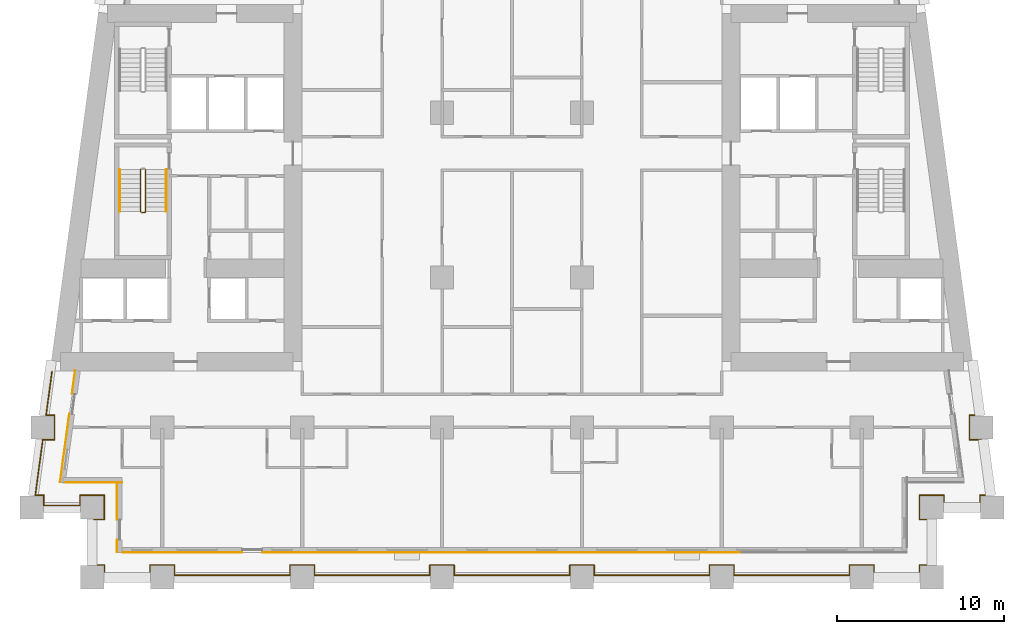
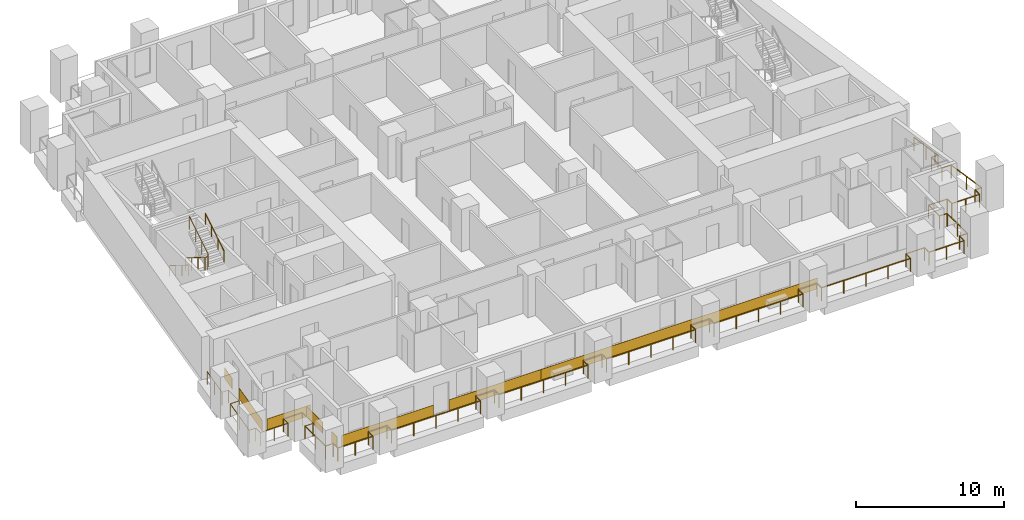
# One storey, part 9 of 13: 8 coverings, 5 railings.
"""IFC4 building model written with IfcOpenShell, lengths in metres."""

from ifc_helpers import new_model, si_unit, direction, frame, origin, origin_2d, place, context, subcontext, project, spatial, rectangle, circle, extrude, material, layer, layer_set, type_object, element, save


model = new_model("IFC4")

# Units and contexts
model_context = context("Model", 3, precision=1e-05, world=origin(), true_north=direction((0.0, 1.0)))
body_context = subcontext(model_context, "Body", "Model", "MODEL_VIEW")
ifc_project = project(units=[si_unit("LENGTHUNIT", "METRE"), si_unit("AREAUNIT", "SQUARE_METRE"), si_unit("VOLUMEUNIT", "CUBIC_METRE"), si_unit("PLANEANGLEUNIT", "RADIAN"), si_unit("MASSUNIT", "GRAM", prefix="KILO")], contexts=[model_context])

# Site, building, storey
site_placement = place(None, origin())
site = spatial("IfcSite", under=ifc_project, at=site_placement, CompositionType="ELEMENT")
building_placement = place(site_placement, origin())
building = spatial("IfcBuilding", under=site, at=building_placement, Name="Candeia Pilgrim Tower and Theatre", CompositionType="ELEMENT")
storey_placement = place(building_placement, frame((0.0, 0.0, 56.5)))
storey = spatial("IfcBuildingStorey", under=building, at=storey_placement, Name="L11", CompositionType="ELEMENT", Elevation=56.5)

# Railings
ifc_material_1 = material(Name="Stainless steel balustrade", Category="steel")
railing_type_1 = type_object("IfcRailingType", Name="G1 loggia guard 1100", PredefinedType="GUARDRAIL", material=ifc_material_1)
railing_1_placement = place(storey_placement, frame((88.320068359375, 101.469970703125, 0.0)))
element("IfcRailing", 1, at=railing_1_placement, inside=storey, type_object=railing_type_1, Name="Guard L11.1", PredefinedType="GUARDRAIL", context=body_context, shape_type="SweptSolid", body=[
    extrude(circle(Radius=0.02392578125, at=origin_2d()), frame((0.0, 0.0, 1.076171875), z_axis=(1.0, 0.0, 0.0), x_axis=(0.0, 1.0, 0.0)), (0.0, 0.0, 1.0), 0.60986328125),
    extrude(circle(Radius=0.02392578125, at=origin_2d()), frame((0.60986328125, 0.0, 1.076171875), z_axis=(0.0, 1.0, 0.0), x_axis=(-1.0, 0.0, 0.0)), (0.0, 0.0, 1.0), 1.4599609375),
    extrude(circle(Radius=0.02392578125, at=origin_2d()), frame((0.60986328125, 1.4599609375, 1.076171875), z_axis=(-1.0, 0.0, 0.0), x_axis=(0.0, -1.0, 0.0)), (0.0, 0.0, 1.0), 1.4599609375),
    extrude(circle(Radius=0.02392578125, at=origin_2d()), frame((-0.85009765625, 1.4599609375, 1.076171875), z_axis=(0.0, -1.0, 0.0), x_axis=(1.0, 0.0, 0.0)), (0.0, 0.0, 1.0), 0.60986328125),
    extrude(circle(Radius=0.02392578125, at=origin_2d()), frame((-0.85009765625, 0.85009765625, 1.076171875), z_axis=(-1.0, 0.0, 0.0), x_axis=(0.0, -1.0, 0.0)), (0.0, 0.0, 1.0), 2.174560546875),
    extrude(circle(Radius=0.02392578125, at=origin_2d()), frame((-3.024658203125, 0.85009765625, 1.076171875), z_axis=(0.0, 1.0, 0.0), x_axis=(-1.0, 0.0, 0.0)), (0.0, 0.0, 1.0), 0.60986328125),
    extrude(circle(Radius=0.02392578125, at=origin_2d()), frame((-3.024658203125, 1.4599609375, 1.076171875), z_axis=(-1.0, 0.0, 0.0), x_axis=(0.0, -1.0, 0.0)), (0.0, 0.0, 1.0), 0.5107421875),
    extrude(circle(Radius=0.02392578125, at=origin_2d()), frame((-3.535400390625, 1.4599609375, 1.076171875), z_axis=(0.133435273035, 0.991057530071, 0.0), x_axis=(-0.991057530071, 0.133435273035, 0.0)), (0.0, 0.0, 1.0), 3.3701171875),
    extrude(circle(Radius=0.02392578125, at=origin_2d()), frame((-3.085693359375, 4.800048828125, 1.076171875), z_axis=(1.0, 0.0, 0.0), x_axis=(0.0, 1.0, 0.0)), (0.0, 0.0, 1.0), 0.707275390625),
    extrude(circle(Radius=0.02392578125, at=origin_2d()), frame((-2.37841796875, 4.800048828125, 1.076171875), z_axis=(0.0, 1.0, 0.0), x_axis=(-1.0, 0.0, 0.0)), (0.0, 0.0, 1.0), 1.4599609375),
    extrude(circle(Radius=0.02392578125, at=origin_2d()), frame((-2.37841796875, 6.260009765625, 1.076171875), z_axis=(-1.0, 0.0, 0.0), x_axis=(0.0, -1.0, 0.0)), (0.0, 0.0, 1.0), 0.5107421875),
    extrude(circle(Radius=0.02392578125, at=origin_2d()), frame((-2.88916015625, 6.260009765625, 1.076171875), z_axis=(0.133439920495, 0.991056904329, 0.0), x_axis=(-0.991056904329, 0.133439920495, 0.0)), (0.0, 0.0, 1.0), 2.643798828125),
    extrude(circle(Radius=0.02099609375, at=origin_2d()), origin(), (0.0, 0.0, 1.0), 1.052001953125),
    extrude(circle(Radius=0.02099609375, at=origin_2d()), frame((0.60986328125, 0.0, 0.0)), (0.0, 0.0, 1.0), 1.052001953125),
    extrude(circle(Radius=0.02099609375, at=origin_2d()), frame((0.60986328125, 1.4599609375, 0.0)), (0.0, 0.0, 1.0), 1.052001953125),
    extrude(circle(Radius=0.02099609375, at=origin_2d()), frame((-0.85009765625, 1.4599609375, 0.0)), (0.0, 0.0, 1.0), 1.052001953125),
    extrude(circle(Radius=0.02099609375, at=origin_2d()), frame((-0.85009765625, 0.85009765625, 0.0)), (0.0, 0.0, 1.0), 1.052001953125),
    extrude(circle(Radius=0.02099609375, at=origin_2d()), frame((-1.9375, 0.85009765625, 0.0)), (0.0, 0.0, 1.0), 1.052001953125),
    extrude(circle(Radius=0.02099609375, at=origin_2d()), frame((-3.024658203125, 0.85009765625, 0.0)), (0.0, 0.0, 1.0), 1.052001953125),
    extrude(circle(Radius=0.02099609375, at=origin_2d()), frame((-3.024658203125, 1.4599609375, 0.0)), (0.0, 0.0, 1.0), 1.052001953125),
    extrude(circle(Radius=0.02099609375, at=origin_2d()), frame((-3.535400390625, 1.4599609375, 0.0)), (0.0, 0.0, 1.0), 1.052001953125),
    extrude(circle(Radius=0.02099609375, at=origin_2d()), frame((-3.310546875, 3.1298828125, 0.0)), (0.0, 0.0, 1.0), 1.052001953125),
    extrude(circle(Radius=0.02099609375, at=origin_2d()), frame((-3.085693359375, 4.800048828125, 0.0)), (0.0, 0.0, 1.0), 1.052001953125),
    extrude(circle(Radius=0.02099609375, at=origin_2d()), frame((-2.37841796875, 4.800048828125, 0.0)), (0.0, 0.0, 1.0), 1.052001953125),
    extrude(circle(Radius=0.02099609375, at=origin_2d()), frame((-2.37841796875, 6.260009765625, 0.0)), (0.0, 0.0, 1.0), 1.052001953125),
    extrude(circle(Radius=0.02099609375, at=origin_2d()), frame((-2.88916015625, 6.260009765625, 0.0)), (0.0, 0.0, 1.0), 1.052001953125),
    extrude(circle(Radius=0.02099609375, at=origin_2d()), frame((-2.712890625, 7.570068359375, 0.0)), (0.0, 0.0, 1.0), 1.052001953125),
    extrude(circle(Radius=0.02099609375, at=origin_2d()), frame((-2.536376953125, 8.880126953125, 0.0)), (0.0, 0.0, 1.0), 1.052001953125),
])
railing_2_placement = place(storey_placement, frame((141.016357421875, 110.35009765625, 0.0)))
element("IfcRailing", 2, at=railing_2_placement, inside=storey, type_object=railing_type_1, Name="Guard L11.4", PredefinedType="GUARDRAIL", context=body_context, shape_type="SweptSolid", body=[
    extrude(circle(Radius=0.02392578125, at=origin_2d()), frame((0.0, 0.0, 1.076171875), z_axis=(0.133439920495, -0.991056904329, 0.0), x_axis=(0.991056904329, 0.133439920495, 0.0)), (0.0, 0.0, 1.0), 2.643798828125),
    extrude(circle(Radius=0.02392578125, at=origin_2d()), frame((0.352783203125, -2.6201171875, 1.076171875), z_axis=(-1.0, 0.0, 0.0), x_axis=(0.0, -1.0, 0.0)), (0.0, 0.0, 1.0), 0.5107421875),
    extrude(circle(Radius=0.02392578125, at=origin_2d()), frame((-0.157958984375, -2.6201171875, 1.076171875), z_axis=(0.0, -1.0, 0.0), x_axis=(1.0, 0.0, 0.0)), (0.0, 0.0, 1.0), 1.4599609375),
    extrude(circle(Radius=0.02392578125, at=origin_2d()), frame((-0.157958984375, -4.080078125, 1.076171875), z_axis=(1.0, 0.0, 0.0), x_axis=(0.0, 1.0, 0.0)), (0.0, 0.0, 1.0), 0.707275390625),
    extrude(circle(Radius=0.02392578125, at=origin_2d()), frame((0.54931640625, -4.080078125, 1.076171875), z_axis=(0.133435273035, -0.991057530071, 0.0), x_axis=(0.991057530071, 0.133435273035, 0.0)), (0.0, 0.0, 1.0), 3.3701171875),
    extrude(circle(Radius=0.02392578125, at=origin_2d()), frame((0.9990234375, -7.420166015625, 1.076171875), z_axis=(-1.0, 0.0, 0.0), x_axis=(0.0, -1.0, 0.0)), (0.0, 0.0, 1.0), 0.5107421875),
    extrude(circle(Radius=0.02392578125, at=origin_2d()), frame((0.48828125, -7.420166015625, 1.076171875), z_axis=(0.0, -1.0, 0.0), x_axis=(1.0, 0.0, 0.0)), (0.0, 0.0, 1.0), 0.60986328125),
    extrude(circle(Radius=0.02392578125, at=origin_2d()), frame((0.48828125, -8.030029296875, 1.076171875), z_axis=(-1.0, 0.0, 0.0), x_axis=(0.0, -1.0, 0.0)), (0.0, 0.0, 1.0), 2.174560546875),
    extrude(circle(Radius=0.02392578125, at=origin_2d()), frame((-1.686279296875, -8.030029296875, 1.076171875), z_axis=(0.0, 1.0, 0.0), x_axis=(-1.0, 0.0, 0.0)), (0.0, 0.0, 1.0), 0.60986328125),
    extrude(circle(Radius=0.02392578125, at=origin_2d()), frame((-1.686279296875, -7.420166015625, 1.076171875), z_axis=(-1.0, 0.0, 0.0), x_axis=(0.0, -1.0, 0.0)), (0.0, 0.0, 1.0), 1.4599609375),
    extrude(circle(Radius=0.02392578125, at=origin_2d()), frame((-3.146240234375, -7.420166015625, 1.076171875), z_axis=(0.0, -1.0, 0.0), x_axis=(1.0, 0.0, 0.0)), (0.0, 0.0, 1.0), 1.4599609375),
    extrude(circle(Radius=0.02392578125, at=origin_2d()), frame((-3.146240234375, -8.880126953125, 1.076171875), z_axis=(1.0, 0.0, 0.0), x_axis=(0.0, 1.0, 0.0)), (0.0, 0.0, 1.0), 0.60986328125),
    extrude(circle(Radius=0.02392578125, at=origin_2d()), frame((-2.536376953125, -8.880126953125, 1.076171875), z_axis=(0.0, -1.0, 0.0), x_axis=(1.0, 0.0, 0.0)), (0.0, 0.0, 1.0), 2.739990234375),
    extrude(circle(Radius=0.02392578125, at=origin_2d()), frame((-2.536376953125, -11.6201171875, 1.076171875), z_axis=(-1.0, 0.0, 0.0), x_axis=(0.0, -1.0, 0.0)), (0.0, 0.0, 1.0), 0.60986328125),
    extrude(circle(Radius=0.02392578125, at=origin_2d()), frame((-3.146240234375, -11.6201171875, 1.076171875), z_axis=(0.0, -1.0, 0.0), x_axis=(1.0, 0.0, 0.0)), (0.0, 0.0, 1.0), 0.60986328125),
    extrude(circle(Radius=0.02392578125, at=origin_2d()), frame((-3.146240234375, -12.22998046875, 1.076171875), z_axis=(-1.0, 0.0, 0.0), x_axis=(0.0, -1.0, 0.0)), (0.0, 0.0, 1.0), 2.740234375),
    extrude(circle(Radius=0.02392578125, at=origin_2d()), frame((-5.886474609375, -12.22998046875, 1.076171875), z_axis=(0.0, 1.0, 0.0), x_axis=(-1.0, 0.0, 0.0)), (0.0, 0.0, 1.0), 0.60986328125),
    extrude(circle(Radius=0.02392578125, at=origin_2d()), frame((-5.886474609375, -11.6201171875, 1.076171875), z_axis=(-1.0, 0.0, 0.0), x_axis=(0.0, -1.0, 0.0)), (0.0, 0.0, 1.0), 1.4599609375),
    extrude(circle(Radius=0.02392578125, at=origin_2d()), frame((-7.346435546875, -11.6201171875, 1.076171875), z_axis=(0.0, -1.0, 0.0), x_axis=(1.0, 0.0, 0.0)), (0.0, 0.0, 1.0), 0.60986328125),
    extrude(circle(Radius=0.02392578125, at=origin_2d()), frame((-7.346435546875, -12.22998046875, 1.076171875), z_axis=(-1.0, 0.0, 0.0), x_axis=(0.0, -1.0, 0.0)), (0.0, 0.0, 1.0), 6.93994140625),
    extrude(circle(Radius=0.02392578125, at=origin_2d()), frame((-14.286376953125, -12.22998046875, 1.076171875), z_axis=(0.0, 1.0, 0.0), x_axis=(-1.0, 0.0, 0.0)), (0.0, 0.0, 1.0), 0.60986328125),
    extrude(circle(Radius=0.02392578125, at=origin_2d()), frame((-14.286376953125, -11.6201171875, 1.076171875), z_axis=(-1.0, 0.0, 0.0), x_axis=(0.0, -1.0, 0.0)), (0.0, 0.0, 1.0), 1.4599609375),
    extrude(circle(Radius=0.02392578125, at=origin_2d()), frame((-15.746337890625, -11.6201171875, 1.076171875), z_axis=(0.0, -1.0, 0.0), x_axis=(1.0, 0.0, 0.0)), (0.0, 0.0, 1.0), 0.60986328125),
    extrude(circle(Radius=0.02392578125, at=origin_2d()), frame((-15.746337890625, -12.22998046875, 1.076171875), z_axis=(-1.0, 0.0, 0.0), x_axis=(0.0, -1.0, 0.0)), (0.0, 0.0, 1.0), 6.93994140625),
    extrude(circle(Radius=0.02392578125, at=origin_2d()), frame((-22.686279296875, -12.22998046875, 1.076171875), z_axis=(0.0, 1.0, 0.0), x_axis=(-1.0, 0.0, 0.0)), (0.0, 0.0, 1.0), 0.60986328125),
    extrude(circle(Radius=0.02392578125, at=origin_2d()), frame((-22.686279296875, -11.6201171875, 1.076171875), z_axis=(-1.0, 0.0, 0.0), x_axis=(0.0, -1.0, 0.0)), (0.0, 0.0, 1.0), 1.4599609375),
    extrude(circle(Radius=0.02392578125, at=origin_2d()), frame((-24.146240234375, -11.6201171875, 1.076171875), z_axis=(0.0, -1.0, 0.0), x_axis=(1.0, 0.0, 0.0)), (0.0, 0.0, 1.0), 0.60986328125),
    extrude(circle(Radius=0.02392578125, at=origin_2d()), frame((-24.146240234375, -12.22998046875, 1.076171875), z_axis=(-1.0, 0.0, 0.0), x_axis=(0.0, -1.0, 0.0)), (0.0, 0.0, 1.0), 6.940185546875),
    extrude(circle(Radius=0.02392578125, at=origin_2d()), frame((-31.08642578125, -12.22998046875, 1.076171875), z_axis=(0.0, 1.0, 0.0), x_axis=(-1.0, 0.0, 0.0)), (0.0, 0.0, 1.0), 0.60986328125),
    extrude(circle(Radius=0.02392578125, at=origin_2d()), frame((-31.08642578125, -11.6201171875, 1.076171875), z_axis=(-1.0, 0.0, 0.0), x_axis=(0.0, -1.0, 0.0)), (0.0, 0.0, 1.0), 1.4599609375),
    extrude(circle(Radius=0.02392578125, at=origin_2d()), frame((-32.54638671875, -11.6201171875, 1.076171875), z_axis=(0.0, -1.0, 0.0), x_axis=(1.0, 0.0, 0.0)), (0.0, 0.0, 1.0), 0.60986328125),
    extrude(circle(Radius=0.02392578125, at=origin_2d()), frame((-32.54638671875, -12.22998046875, 1.076171875), z_axis=(-1.0, 0.0, 0.0), x_axis=(0.0, -1.0, 0.0)), (0.0, 0.0, 1.0), 6.93994140625),
    extrude(circle(Radius=0.02392578125, at=origin_2d()), frame((-39.486328125, -12.22998046875, 1.076171875), z_axis=(0.0, 1.0, 0.0), x_axis=(-1.0, 0.0, 0.0)), (0.0, 0.0, 1.0), 0.60986328125),
    extrude(circle(Radius=0.02392578125, at=origin_2d()), frame((-39.486328125, -11.6201171875, 1.076171875), z_axis=(-1.0, 0.0, 0.0), x_axis=(0.0, -1.0, 0.0)), (0.0, 0.0, 1.0), 1.4599609375),
    extrude(circle(Radius=0.02392578125, at=origin_2d()), frame((-40.9462890625, -11.6201171875, 1.076171875), z_axis=(0.0, -1.0, 0.0), x_axis=(1.0, 0.0, 0.0)), (0.0, 0.0, 1.0), 0.60986328125),
    extrude(circle(Radius=0.02392578125, at=origin_2d()), frame((-40.9462890625, -12.22998046875, 1.076171875), z_axis=(-1.0, 0.0, 0.0), x_axis=(0.0, -1.0, 0.0)), (0.0, 0.0, 1.0), 6.940185546875),
    extrude(circle(Radius=0.02392578125, at=origin_2d()), frame((-47.886474609375, -12.22998046875, 1.076171875), z_axis=(0.0, 1.0, 0.0), x_axis=(-1.0, 0.0, 0.0)), (0.0, 0.0, 1.0), 0.60986328125),
    extrude(circle(Radius=0.02392578125, at=origin_2d()), frame((-47.886474609375, -11.6201171875, 1.076171875), z_axis=(-1.0, 0.0, 0.0), x_axis=(0.0, -1.0, 0.0)), (0.0, 0.0, 1.0), 1.4599609375),
    extrude(circle(Radius=0.02392578125, at=origin_2d()), frame((-49.346435546875, -11.6201171875, 1.076171875), z_axis=(0.0, -1.0, 0.0), x_axis=(1.0, 0.0, 0.0)), (0.0, 0.0, 1.0), 0.60986328125),
    extrude(circle(Radius=0.02392578125, at=origin_2d()), frame((-49.346435546875, -12.22998046875, 1.076171875), z_axis=(-1.0, 0.0, 0.0), x_axis=(0.0, -1.0, 0.0)), (0.0, 0.0, 1.0), 2.739990234375),
    extrude(circle(Radius=0.02392578125, at=origin_2d()), frame((-52.08642578125, -12.22998046875, 1.076171875), z_axis=(0.0, 1.0, 0.0), x_axis=(-1.0, 0.0, 0.0)), (0.0, 0.0, 1.0), 0.60986328125),
    extrude(circle(Radius=0.02392578125, at=origin_2d()), frame((-52.08642578125, -11.6201171875, 1.076171875), z_axis=(-1.0, 0.0, 0.0), x_axis=(0.0, -1.0, 0.0)), (0.0, 0.0, 1.0), 0.60986328125),
    extrude(circle(Radius=0.02392578125, at=origin_2d()), frame((-52.6962890625, -11.6201171875, 1.076171875), z_axis=(0.0, 1.0, 0.0), x_axis=(-1.0, 0.0, 0.0)), (0.0, 0.0, 1.0), 2.739990234375),
    extrude(circle(Radius=0.02099609375, at=origin_2d()), origin(), (0.0, 0.0, 1.0), 1.052001953125),
    extrude(circle(Radius=0.02099609375, at=origin_2d()), frame((0.17626953125, -1.31005859375, 0.0)), (0.0, 0.0, 1.0), 1.052001953125),
    extrude(circle(Radius=0.02099609375, at=origin_2d()), frame((0.352783203125, -2.6201171875, 0.0)), (0.0, 0.0, 1.0), 1.052001953125),
    extrude(circle(Radius=0.02099609375, at=origin_2d()), frame((-0.157958984375, -2.6201171875, 0.0)), (0.0, 0.0, 1.0), 1.052001953125),
    extrude(circle(Radius=0.02099609375, at=origin_2d()), frame((-0.157958984375, -4.080078125, 0.0)), (0.0, 0.0, 1.0), 1.052001953125),
    extrude(circle(Radius=0.02099609375, at=origin_2d()), frame((0.54931640625, -4.080078125, 0.0)), (0.0, 0.0, 1.0), 1.052001953125),
    extrude(circle(Radius=0.02099609375, at=origin_2d()), frame((0.774169921875, -5.75, 0.0)), (0.0, 0.0, 1.0), 1.052001953125),
    extrude(circle(Radius=0.02099609375, at=origin_2d()), frame((0.9990234375, -7.420166015625, 0.0)), (0.0, 0.0, 1.0), 1.052001953125),
    extrude(circle(Radius=0.02099609375, at=origin_2d()), frame((0.48828125, -7.420166015625, 0.0)), (0.0, 0.0, 1.0), 1.052001953125),
    extrude(circle(Radius=0.02099609375, at=origin_2d()), frame((0.48828125, -8.030029296875, 0.0)), (0.0, 0.0, 1.0), 1.052001953125),
    extrude(circle(Radius=0.02099609375, at=origin_2d()), frame((-0.59912109375, -8.030029296875, 0.0)), (0.0, 0.0, 1.0), 1.052001953125),
    extrude(circle(Radius=0.02099609375, at=origin_2d()), frame((-1.686279296875, -8.030029296875, 0.0)), (0.0, 0.0, 1.0), 1.052001953125),
    extrude(circle(Radius=0.02099609375, at=origin_2d()), frame((-1.686279296875, -7.420166015625, 0.0)), (0.0, 0.0, 1.0), 1.052001953125),
    extrude(circle(Radius=0.02099609375, at=origin_2d()), frame((-3.146240234375, -7.420166015625, 0.0)), (0.0, 0.0, 1.0), 1.052001953125),
    extrude(circle(Radius=0.02099609375, at=origin_2d()), frame((-3.146240234375, -8.880126953125, 0.0)), (0.0, 0.0, 1.0), 1.052001953125),
    extrude(circle(Radius=0.02099609375, at=origin_2d()), frame((-2.536376953125, -8.880126953125, 0.0)), (0.0, 0.0, 1.0), 1.052001953125),
    extrude(circle(Radius=0.02099609375, at=origin_2d()), frame((-2.536376953125, -10.25, 0.0)), (0.0, 0.0, 1.0), 1.052001953125),
    extrude(circle(Radius=0.02099609375, at=origin_2d()), frame((-2.536376953125, -11.6201171875, 0.0)), (0.0, 0.0, 1.0), 1.052001953125),
    extrude(circle(Radius=0.02099609375, at=origin_2d()), frame((-3.146240234375, -11.6201171875, 0.0)), (0.0, 0.0, 1.0), 1.052001953125),
    extrude(circle(Radius=0.02099609375, at=origin_2d()), frame((-3.146240234375, -12.22998046875, 0.0)), (0.0, 0.0, 1.0), 1.052001953125),
    extrude(circle(Radius=0.02099609375, at=origin_2d()), frame((-4.516357421875, -12.22998046875, 0.0)), (0.0, 0.0, 1.0), 1.052001953125),
    extrude(circle(Radius=0.02099609375, at=origin_2d()), frame((-5.886474609375, -12.22998046875, 0.0)), (0.0, 0.0, 1.0), 1.052001953125),
    extrude(circle(Radius=0.02099609375, at=origin_2d()), frame((-5.886474609375, -11.6201171875, 0.0)), (0.0, 0.0, 1.0), 1.052001953125),
    extrude(circle(Radius=0.02099609375, at=origin_2d()), frame((-7.346435546875, -11.6201171875, 0.0)), (0.0, 0.0, 1.0), 1.052001953125),
    extrude(circle(Radius=0.02099609375, at=origin_2d()), frame((-7.346435546875, -12.22998046875, 0.0)), (0.0, 0.0, 1.0), 1.052001953125),
    extrude(circle(Radius=0.02099609375, at=origin_2d()), frame((-9.08154296875, -12.22998046875, 0.0)), (0.0, 0.0, 1.0), 1.052001953125),
    extrude(circle(Radius=0.02099609375, at=origin_2d()), frame((-10.81640625, -12.22998046875, 0.0)), (0.0, 0.0, 1.0), 1.052001953125),
    extrude(circle(Radius=0.02099609375, at=origin_2d()), frame((-12.55126953125, -12.22998046875, 0.0)), (0.0, 0.0, 1.0), 1.052001953125),
    extrude(circle(Radius=0.02099609375, at=origin_2d()), frame((-14.286376953125, -12.22998046875, 0.0)), (0.0, 0.0, 1.0), 1.052001953125),
    extrude(circle(Radius=0.02099609375, at=origin_2d()), frame((-14.286376953125, -11.6201171875, 0.0)), (0.0, 0.0, 1.0), 1.052001953125),
    extrude(circle(Radius=0.02099609375, at=origin_2d()), frame((-15.746337890625, -11.6201171875, 0.0)), (0.0, 0.0, 1.0), 1.052001953125),
    extrude(circle(Radius=0.02099609375, at=origin_2d()), frame((-15.746337890625, -12.22998046875, 0.0)), (0.0, 0.0, 1.0), 1.052001953125),
    extrude(circle(Radius=0.02099609375, at=origin_2d()), frame((-17.4814453125, -12.22998046875, 0.0)), (0.0, 0.0, 1.0), 1.052001953125),
    extrude(circle(Radius=0.02099609375, at=origin_2d()), frame((-19.21630859375, -12.22998046875, 0.0)), (0.0, 0.0, 1.0), 1.052001953125),
    extrude(circle(Radius=0.02099609375, at=origin_2d()), frame((-20.951171875, -12.22998046875, 0.0)), (0.0, 0.0, 1.0), 1.052001953125),
    extrude(circle(Radius=0.02099609375, at=origin_2d()), frame((-22.686279296875, -12.22998046875, 0.0)), (0.0, 0.0, 1.0), 1.052001953125),
    extrude(circle(Radius=0.02099609375, at=origin_2d()), frame((-22.686279296875, -11.6201171875, 0.0)), (0.0, 0.0, 1.0), 1.052001953125),
    extrude(circle(Radius=0.02099609375, at=origin_2d()), frame((-24.146240234375, -11.6201171875, 0.0)), (0.0, 0.0, 1.0), 1.052001953125),
    extrude(circle(Radius=0.02099609375, at=origin_2d()), frame((-24.146240234375, -12.22998046875, 0.0)), (0.0, 0.0, 1.0), 1.052001953125),
    extrude(circle(Radius=0.02099609375, at=origin_2d()), frame((-25.88134765625, -12.22998046875, 0.0)), (0.0, 0.0, 1.0), 1.052001953125),
    extrude(circle(Radius=0.02099609375, at=origin_2d()), frame((-27.6162109375, -12.22998046875, 0.0)), (0.0, 0.0, 1.0), 1.052001953125),
    extrude(circle(Radius=0.02099609375, at=origin_2d()), frame((-29.351318359375, -12.22998046875, 0.0)), (0.0, 0.0, 1.0), 1.052001953125),
    extrude(circle(Radius=0.02099609375, at=origin_2d()), frame((-31.08642578125, -12.22998046875, 0.0)), (0.0, 0.0, 1.0), 1.052001953125),
    extrude(circle(Radius=0.02099609375, at=origin_2d()), frame((-31.08642578125, -11.6201171875, 0.0)), (0.0, 0.0, 1.0), 1.052001953125),
    extrude(circle(Radius=0.02099609375, at=origin_2d()), frame((-32.54638671875, -11.6201171875, 0.0)), (0.0, 0.0, 1.0), 1.052001953125),
    extrude(circle(Radius=0.02099609375, at=origin_2d()), frame((-32.54638671875, -12.22998046875, 0.0)), (0.0, 0.0, 1.0), 1.052001953125),
    extrude(circle(Radius=0.02099609375, at=origin_2d()), frame((-34.28125, -12.22998046875, 0.0)), (0.0, 0.0, 1.0), 1.052001953125),
    extrude(circle(Radius=0.02099609375, at=origin_2d()), frame((-36.016357421875, -12.22998046875, 0.0)), (0.0, 0.0, 1.0), 1.052001953125),
    extrude(circle(Radius=0.02099609375, at=origin_2d()), frame((-37.75146484375, -12.22998046875, 0.0)), (0.0, 0.0, 1.0), 1.052001953125),
    extrude(circle(Radius=0.02099609375, at=origin_2d()), frame((-39.486328125, -12.22998046875, 0.0)), (0.0, 0.0, 1.0), 1.052001953125),
    extrude(circle(Radius=0.02099609375, at=origin_2d()), frame((-39.486328125, -11.6201171875, 0.0)), (0.0, 0.0, 1.0), 1.052001953125),
    extrude(circle(Radius=0.02099609375, at=origin_2d()), frame((-40.9462890625, -11.6201171875, 0.0)), (0.0, 0.0, 1.0), 1.052001953125),
    extrude(circle(Radius=0.02099609375, at=origin_2d()), frame((-40.9462890625, -12.22998046875, 0.0)), (0.0, 0.0, 1.0), 1.052001953125),
    extrude(circle(Radius=0.02099609375, at=origin_2d()), frame((-42.681396484375, -12.22998046875, 0.0)), (0.0, 0.0, 1.0), 1.052001953125),
    extrude(circle(Radius=0.02099609375, at=origin_2d()), frame((-44.41650390625, -12.22998046875, 0.0)), (0.0, 0.0, 1.0), 1.052001953125),
    extrude(circle(Radius=0.02099609375, at=origin_2d()), frame((-46.1513671875, -12.22998046875, 0.0)), (0.0, 0.0, 1.0), 1.052001953125),
    extrude(circle(Radius=0.02099609375, at=origin_2d()), frame((-47.886474609375, -12.22998046875, 0.0)), (0.0, 0.0, 1.0), 1.052001953125),
    extrude(circle(Radius=0.02099609375, at=origin_2d()), frame((-47.886474609375, -11.6201171875, 0.0)), (0.0, 0.0, 1.0), 1.052001953125),
    extrude(circle(Radius=0.02099609375, at=origin_2d()), frame((-49.346435546875, -11.6201171875, 0.0)), (0.0, 0.0, 1.0), 1.052001953125),
    extrude(circle(Radius=0.02099609375, at=origin_2d()), frame((-49.346435546875, -12.22998046875, 0.0)), (0.0, 0.0, 1.0), 1.052001953125),
    extrude(circle(Radius=0.02099609375, at=origin_2d()), frame((-50.71630859375, -12.22998046875, 0.0)), (0.0, 0.0, 1.0), 1.052001953125),
    extrude(circle(Radius=0.02099609375, at=origin_2d()), frame((-52.08642578125, -12.22998046875, 0.0)), (0.0, 0.0, 1.0), 1.052001953125),
    extrude(circle(Radius=0.02099609375, at=origin_2d()), frame((-52.08642578125, -11.6201171875, 0.0)), (0.0, 0.0, 1.0), 1.052001953125),
    extrude(circle(Radius=0.02099609375, at=origin_2d()), frame((-52.6962890625, -11.6201171875, 0.0)), (0.0, 0.0, 1.0), 1.052001953125),
    extrude(circle(Radius=0.02099609375, at=origin_2d()), frame((-52.6962890625, -10.25, 0.0)), (0.0, 0.0, 1.0), 1.052001953125),
    extrude(circle(Radius=0.02099609375, at=origin_2d()), frame((-52.6962890625, -8.880126953125, 0.0)), (0.0, 0.0, 1.0), 1.052001953125),
])

# Coverings
ifc_material_2 = material(Name="Glazed ceramic tile deep red")
ifc_layer_1 = layer(ifc_material_2, 0.02001953125)
ifc_layer_set_1 = layer_set([ifc_layer_1], Name="Glazed ceramic tile deep red")
covering_type_1 = type_object("IfcCoveringType", Name="Glazed ceramic tile deep red", PredefinedType="CLADDING", material=ifc_layer_set_1)
covering_1_placement = place(storey_placement, frame((93.610107421875, 99.489990234375, 0.0), z_axis=(0.0, 0.0, 1.0), x_axis=(1.0, 0.0, 0.0)))
element("IfcCovering", 3, at=covering_1_placement, inside=storey, type_object=covering_type_1, Name="Tile cladding deep red L11", PredefinedType="CLADDING", context=body_context, shape_type="SweptSolid", body=[
    extrude(rectangle(XDim=7.179931640625, YDim=0.02001953125, at=origin_2d()), origin(), (0.0, 0.0, 1.0), 0.89990234375),
])
covering_2_placement = place(storey_placement, frame((102.0, 99.489990234375, 0.0), z_axis=(0.0, 0.0, 1.0), x_axis=(1.0, 0.0, 0.0)))
element("IfcCovering", 4, at=covering_2_placement, inside=storey, type_object=covering_type_1, Name="Tile cladding deep red L11", PredefinedType="CLADDING", context=body_context, shape_type="SweptSolid", body=[
    extrude(rectangle(XDim=7.199951171875, YDim=0.02001953125, at=origin_2d()), origin(), (0.0, 0.0, 1.0), 0.89990234375),
])
covering_3_placement = place(storey_placement, frame((87.0810546875, 109.71875, 0.0), z_axis=(0.0, 0.0, 1.0), x_axis=(-0.133412012145, -0.991060661622, 0.0)))
element("IfcCovering", 5, at=covering_3_placement, inside=storey, type_object=covering_type_1, Name="Tile cladding deep red L11", PredefinedType="CLADDING", context=body_context, shape_type="SweptSolid", body=[
    extrude(rectangle(XDim=1.41796875, YDim=0.02001953125, at=origin_2d()), origin(), (0.0, 0.0, 1.0), 0.89990234375),
])
covering_4_placement = place(storey_placement, frame((86.548583984375, 105.763916015625, 0.0), z_axis=(0.0, 0.0, 1.0), x_axis=(-0.133412012145, -0.991060661622, 0.0)))
element("IfcCovering", 6, at=covering_4_placement, inside=storey, type_object=covering_type_1, Name="Tile cladding deep red L11", PredefinedType="CLADDING", context=body_context, shape_type="SweptSolid", body=[
    extrude(rectangle(XDim=4.16259765625, YDim=0.02001953125, at=origin_2d()), origin(), (0.0, 0.0, 1.0), 0.89990234375),
])
covering_5_placement = place(storey_placement, frame((88.311279296875, 103.68994140625, 0.0), z_axis=(0.0, 0.0, 1.0), x_axis=(1.0, 0.0, 0.0)))
element("IfcCovering", 7, at=covering_5_placement, inside=storey, type_object=covering_type_1, Name="Tile cladding deep red L11", PredefinedType="CLADDING", context=body_context, shape_type="SweptSolid", body=[
    extrude(rectangle(XDim=3.377685546875, YDim=0.02001953125, at=origin_2d()), origin(), (0.0, 0.0, 1.0), 0.89990234375),
])
covering_6_placement = place(storey_placement, frame((89.68994140625, 102.56494140625, 0.0), z_axis=(0.0, 0.0, 1.0), x_axis=(0.0, -1.0, 0.0)))
element("IfcCovering", 8, at=covering_6_placement, inside=storey, type_object=covering_type_1, Name="Tile cladding deep red L11", PredefinedType="CLADDING", context=body_context, shape_type="SweptSolid", body=[
    extrude(rectangle(XDim=2.22998046875, YDim=0.02001953125, at=origin_2d()), origin(), (0.0, 0.0, 1.0), 0.89990234375),
])
covering_7_placement = place(storey_placement, frame((89.68994140625, 99.875, 0.0), z_axis=(0.0, 0.0, 1.0), x_axis=(0.0, -1.0, 0.0)))
element("IfcCovering", 9, at=covering_7_placement, inside=storey, type_object=covering_type_1, Name="Tile cladding deep red L11", PredefinedType="CLADDING", context=body_context, shape_type="SweptSolid", body=[
    extrude(rectangle(XDim=0.75, YDim=0.02001953125, at=origin_2d()), origin(), (0.0, 0.0, 1.0), 0.89990234375),
])
ifc_material_3 = material(Name="Glazed ceramic tile red")
ifc_layer_2 = layer(ifc_material_3, 0.02001953125)
ifc_layer_set_2 = layer_set([ifc_layer_2], Name="Glazed ceramic tile red")
covering_type_2 = type_object("IfcCoveringType", Name="Glazed ceramic tile red", PredefinedType="CLADDING", material=ifc_layer_set_2)
covering_8_placement = place(storey_placement, frame((116.39990234375, 99.489990234375, 0.0), z_axis=(0.0, 0.0, 1.0), x_axis=(1.0, 0.0, 0.0)))
element("IfcCovering", 10, at=covering_8_placement, inside=storey, type_object=covering_type_2, Name="Tile cladding red L11", PredefinedType="CLADDING", context=body_context, shape_type="SweptSolid", body=[
    extrude(rectangle(XDim=21.60009765625, YDim=0.02001953125, at=origin_2d()), origin(), (0.0, 0.0, 1.0), 0.89990234375),
])

# Railings
railing_type_2 = type_object("IfcRailingType", Name="RL-GUARD-1100", PredefinedType="GUARDRAIL", material=ifc_material_1)
railing_3_placement = place(storey_placement, frame((91.10205078125, 122.47509765625, 0.175048828125)))
element("IfcRailing", 11, at=railing_3_placement, inside=storey, type_object=railing_type_2, Name="L11 ST1 stair guard 1", PredefinedType="GUARDRAIL", context=body_context, shape_type="SweptSolid", body=[
    extrude(circle(Radius=0.02392578125, at=origin_2d()), frame((0.0, 0.0, 1.076171875), z_axis=(0.0, -0.848007534815, 0.529984170421), x_axis=(1.0, 0.0, 0.0)), (0.0, 0.0, 1.0), 2.9716796875),
    extrude(circle(Radius=0.02392578125, at=origin_2d()), frame((0.0, -2.52001953125, 2.65087890625), z_axis=(0.707106781187, -0.707106781187, 0.0), x_axis=(0.707106781187, 0.707106781187, 0.0)), (0.0, 0.0, 1.0), 0.07080078125),
    extrude(circle(Radius=0.02392578125, at=origin_2d()), frame((0.050048828125, -2.570068359375, 2.65087890625), z_axis=(1.0, 0.0, 0.0), x_axis=(0.0, 1.0, 0.0)), (0.0, 0.0, 1.0), 0.199951171875),
    extrude(circle(Radius=0.02392578125, at=origin_2d()), frame((0.25, -2.570068359375, 2.65087890625), z_axis=(0.265065253269, 0.265065253269, 0.927081885822), x_axis=(-0.707106781187, 0.707106781187, 0.0)), (0.0, 0.0, 1.0), 0.188720703125),
    extrude(circle(Radius=0.02392578125, at=origin_2d()), frame((0.300048828125, -2.52001953125, 2.826171875), z_axis=(0.0, 0.848007534815, 0.529984170421), x_axis=(-1.0, 0.0, 0.0)), (0.0, 0.0, 1.0), 2.9716796875),
    extrude(circle(Radius=0.02099609375, at=origin_2d()), origin(), (0.0, 0.0, 1.0), 1.052001953125),
    extrude(circle(Radius=0.02099609375, at=origin_2d()), frame((0.0, -0.840087890625, 0.52490234375)), (0.0, 0.0, 1.0), 1.052001953125),
    extrude(circle(Radius=0.02099609375, at=origin_2d()), frame((0.0, -1.679931640625, 1.050048828125)), (0.0, 0.0, 1.0), 1.052001953125),
    extrude(circle(Radius=0.02099609375, at=origin_2d()), frame((0.0, -2.52001953125, 1.574951171875)), (0.0, 0.0, 1.0), 1.052001953125),
    extrude(circle(Radius=0.02099609375, at=origin_2d()), frame((0.050048828125, -2.570068359375, 1.574951171875)), (0.0, 0.0, 1.0), 1.052001953125),
    extrude(circle(Radius=0.02099609375, at=origin_2d()), frame((0.25, -2.570068359375, 1.574951171875)), (0.0, 0.0, 1.0), 1.052001953125),
    extrude(circle(Radius=0.02099609375, at=origin_2d()), frame((0.300048828125, -2.52001953125, 1.75)), (0.0, 0.0, 1.0), 1.052001953125),
    extrude(circle(Radius=0.02099609375, at=origin_2d()), frame((0.300048828125, -1.679931640625, 2.27490234375)), (0.0, 0.0, 1.0), 1.052001953125),
    extrude(circle(Radius=0.02099609375, at=origin_2d()), frame((0.300048828125, -0.840087890625, 2.800048828125)), (0.0, 0.0, 1.0), 1.052001953125),
    extrude(circle(Radius=0.02099609375, at=origin_2d()), frame((0.300048828125, 0.0, 3.324951171875)), (0.0, 0.0, 1.0), 1.052001953125),
])
ifc_material_4 = material(Name="Stainless steel handrail", Category="steel")
railing_type_3 = type_object("IfcRailingType", Name="RL-HANDRAIL-900", PredefinedType="HANDRAIL", material=ifc_material_4)
railing_4_placement = place(storey_placement, frame((89.85205078125, 122.47509765625, 0.175048828125)))
element("IfcRailing", 12, at=railing_4_placement, inside=storey, type_object=railing_type_3, Name="L11 ST1 stair handrail 1", PredefinedType="HANDRAIL", context=body_context, shape_type="SweptSolid", body=[
    extrude(circle(Radius=0.02392578125, at=origin_2d()), frame((0.0, 0.0, 0.8759765625), z_axis=(0.0, -0.848007534815, 0.529984170421), x_axis=(1.0, 0.0, 0.0)), (0.0, 0.0, 1.0), 2.9716796875),
    extrude(circle(Radius=0.02099609375, at=origin_2d()), origin(), (0.0, 0.0, 1.0), 0.851806640625),
    extrude(circle(Radius=0.02099609375, at=origin_2d()), frame((0.0, -0.840087890625, 0.52490234375)), (0.0, 0.0, 1.0), 0.851806640625),
    extrude(circle(Radius=0.02099609375, at=origin_2d()), frame((0.0, -1.679931640625, 1.050048828125)), (0.0, 0.0, 1.0), 0.851806640625),
    extrude(circle(Radius=0.02099609375, at=origin_2d()), frame((0.0, -2.52001953125, 1.574951171875)), (0.0, 0.0, 1.0), 0.851806640625),
])
railing_5_placement = place(storey_placement, frame((92.652099609375, 119.955078125, 1.925048828125)))
element("IfcRailing", 13, at=railing_5_placement, inside=storey, type_object=railing_type_3, Name="L11 ST1 stair handrail 2", PredefinedType="HANDRAIL", context=body_context, shape_type="SweptSolid", body=[
    extrude(circle(Radius=0.02392578125, at=origin_2d()), frame((0.0, 0.0, 0.8759765625), z_axis=(0.0, 0.848007534815, 0.529984170421), x_axis=(-1.0, 0.0, 0.0)), (0.0, 0.0, 1.0), 2.9716796875),
    extrude(circle(Radius=0.02099609375, at=origin_2d()), origin(), (0.0, 0.0, 1.0), 0.851806640625),
    extrude(circle(Radius=0.02099609375, at=origin_2d()), frame((0.0, 0.840087890625, 0.52490234375)), (0.0, 0.0, 1.0), 0.851806640625),
    extrude(circle(Radius=0.02099609375, at=origin_2d()), frame((0.0, 1.679931640625, 1.050048828125)), (0.0, 0.0, 1.0), 0.851806640625),
    extrude(circle(Radius=0.02099609375, at=origin_2d()), frame((0.0, 2.52001953125, 1.574951171875)), (0.0, 0.0, 1.0), 0.851806640625),
])

save(model, "model.ifc")
